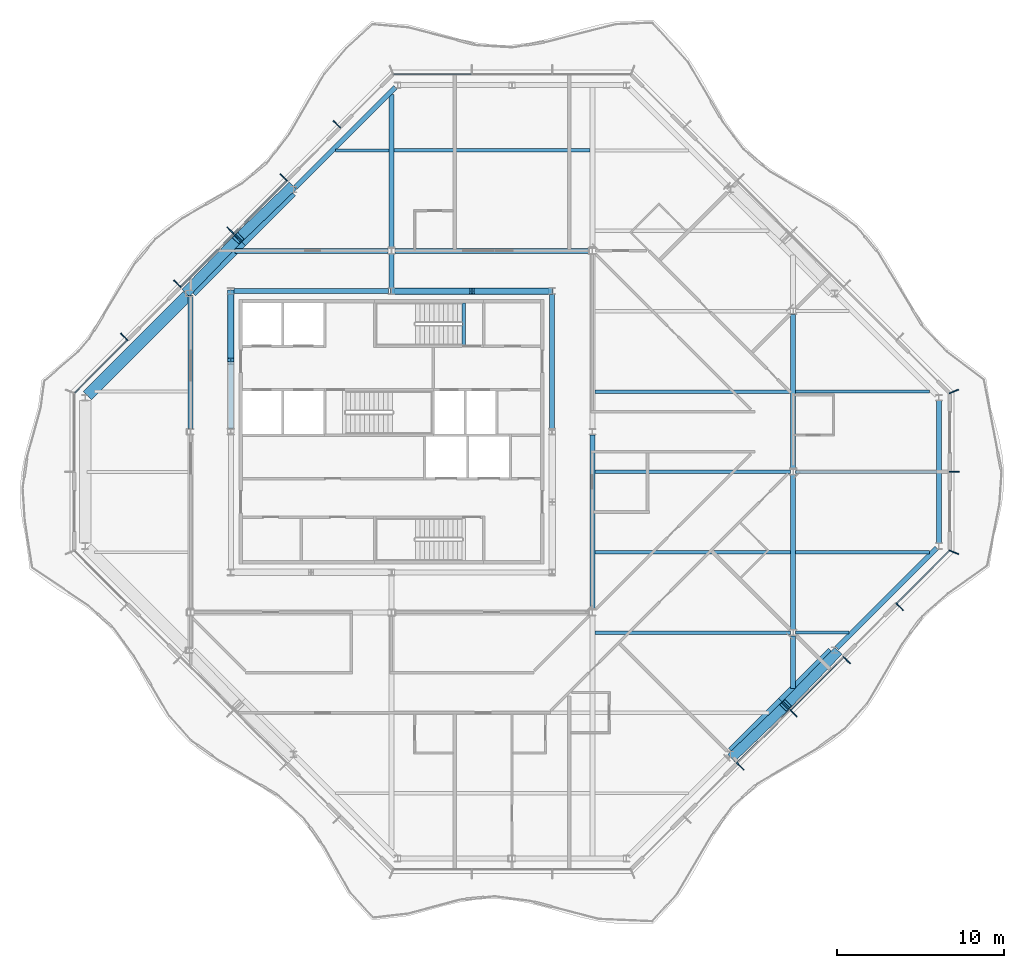
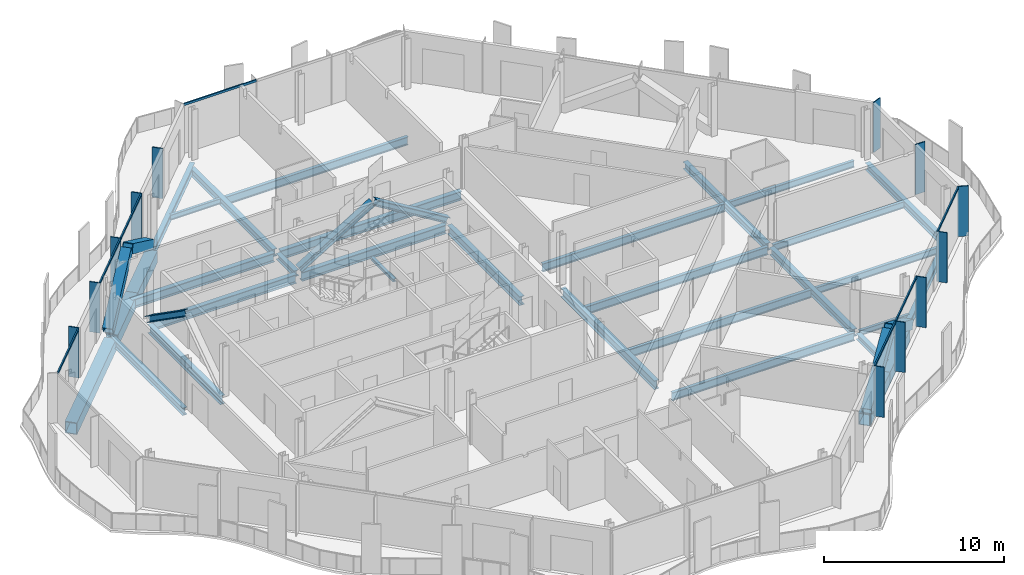
# One storey, part 4 of 17: 32 beams, 26 members, 5 elements without a shape of their own.
"""IFC4 building model written with IfcOpenShell, lengths in metres."""

from ifc_helpers import new_model, si_unit, direction, frame, origin, origin_2d, place, context, subcontext, project, spatial, rectangle, hollow_rectangle, i_section, extrude, material, material_profile, profile_set, type_object, element, aggregate, save


model = new_model("IFC4")

# Units and contexts
model_context = context("Model", 3, precision=1e-05, world=origin(), true_north=direction((0.0, 1.0)))
body_context = subcontext(model_context, "Body", "Model", "MODEL_VIEW")
ifc_project = project(units=[si_unit("LENGTHUNIT", "METRE"), si_unit("AREAUNIT", "SQUARE_METRE"), si_unit("VOLUMEUNIT", "CUBIC_METRE"), si_unit("PLANEANGLEUNIT", "RADIAN"), si_unit("MASSUNIT", "GRAM", prefix="KILO")], contexts=[model_context])

# Site, building, storey
site_placement = place(None, origin())
site = spatial("IfcSite", under=ifc_project, at=site_placement, CompositionType="ELEMENT")
building_placement = place(site_placement, origin())
building = spatial("IfcBuilding", under=site, at=building_placement, Name="Cairn Pilgrim Tower", CompositionType="ELEMENT")
storey_placement = place(building_placement, frame((0.0, 0.0, 292.199951171875)))
storey = spatial("IfcBuildingStorey", under=building, at=storey_placement, Name="L75", CompositionType="ELEMENT", Elevation=292.199951171875)

# Members
ifc_material_1 = material(Name="Structural steel S460M", Category="steel")
ifc_material_profile_1 = material_profile(ifc_material_1, hollow_rectangle(XDim=0.60009765625, YDim=0.60009765625, WallThickness=0.034912109375, at=origin_2d()), Name="BOX 600x600x35")
ifc_profile_set_1 = profile_set([ifc_material_profile_1], Name="Structural steel S460M")
member_type_1 = type_object("IfcMemberType", Name="BOX 600x600x35 BRACE", PredefinedType="BRACE", material=ifc_profile_set_1)
for number, where, z_axis, x_axis, name in (
    (1, (27.602294921875, -16.98779296875, 0.150146484375), (0.617018686186, 0.594728533301, 0.515350281434), (-0.693982111126, 0.719992242623, 0.0), "XB-SE2-SE3-1"),
    (2, (33.78759765625, -10.80224609375, 0.150146484375), (-0.594679218313, -0.61706668377, 0.515349721149), (0.720047967375, -0.69392429319, 0.0), "XB-SE2-SE3-2"),
):
    element("IfcMember", number, at=place(storey_placement, frame(where, z_axis=z_axis, x_axis=x_axis)), inside=storey, type_object=member_type_1, Name=name, PredefinedType="BRACE", context=body_context, shape_type="SweptSolid", body=[
        extrude(hollow_rectangle(XDim=0.60009765625, YDim=0.60009765625, WallThickness=0.034912109375, at=origin_2d()), origin(), (0.0, 0.0, 1.0), 5.016357421875),
    ])
for number, where, z_axis, x_axis, name in (
    (3, (1.19775390625, 16.98779296875, 0.150146484375), (-0.617048824616, -0.594710674092, 0.515334805889), (0.693953735617, -0.720019591971, 0.0), "XB-NW2-NW3-1"),
    (4, (-4.98779296875, 10.80224609375, 0.150146484375), (0.594710674092, 0.617048824616, 0.515334805889), (-0.720019591971, 0.693953735617, 0.0), "XB-NW2-NW3-2"),
):
    element("IfcMember", number, at=place(storey_placement, frame(where, z_axis=z_axis, x_axis=x_axis)), inside=storey, type_object=member_type_1, Name=name, PredefinedType="BRACE", context=body_context, shape_type="SweptSolid", body=[
        extrude(hollow_rectangle(XDim=0.60009765625, YDim=0.60009765625, WallThickness=0.034912109375, at=origin_2d()), origin(), (0.0, 0.0, 1.0), 5.0166015625),
    ])

# Beams
ifc_material_2 = material(Name="Structural steel S355J2", Category="steel")
ifc_material_profile_2 = material_profile(ifc_material_2, hollow_rectangle(XDim=0.699951171875, YDim=0.800048828125, WallThickness=0.0400390625, at=origin_2d()), Name="BOX 700x800x40")
ifc_profile_set_2 = profile_set([ifc_material_profile_2], Name="Structural steel S355J2")
beam_type_1 = type_object("IfcBeamType", Name="BOX 700x800x40 RING GIRDER", PredefinedType="SPANDREL", material=ifc_profile_set_2)
for number, where, z_axis, x_axis, name in (
    (5, (27.575927734375, -16.751220703125, -0.550048828125), (0.707135671578, 0.707077889614, 0.0), (-0.707077889614, 0.707135671578, 0.0), "RG4-SE2-SE3-1"),
    (6, (30.563720703125, -13.763671875, -0.550048828125), (0.707077889614, 0.707135671578, 0.0), (-0.707135671578, 0.707077889614, 0.0), "RG4-SE2-SE3-2"),
    (7, (1.22412109375, 16.751220703125, -0.550048828125), (-0.707135671578, -0.707077889614, 0.0), (0.707077889614, -0.707135671578, 0.0), "RG4-NW2-NW3-1"),
    (8, (-1.763671875, 13.763671875, -0.550048828125), (-0.707077889614, -0.707135671578, 0.0), (0.707135671578, -0.707077889614, 0.0), "RG4-NW2-NW3-2"),
):
    element("IfcBeam", number, at=place(storey_placement, frame(where, z_axis=z_axis, x_axis=x_axis)), inside=storey, type_object=beam_type_1, Name=name, PredefinedType="SPANDREL", context=body_context, shape_type="SweptSolid", body=[
        extrude(hollow_rectangle(XDim=0.699951171875, YDim=0.800048828125, WallThickness=0.0400390625, at=origin_2d()), origin(), (0.0, 0.0, 1.0), 4.22509765625),
    ])
beam_1_placement = place(storey_placement, frame((-5.000244140625, 10.527099609375, -0.550048828125), z_axis=(-0.707092335843, -0.707121226235, 0.0), x_axis=(0.707121226235, -0.707092335843, 0.0)))
element("IfcBeam", 9, at=beam_1_placement, inside=storey, type_object=beam_type_1, Name="RG4-NW3-W1", PredefinedType="SPANDREL", context=body_context, shape_type="SweptSolid", body=[
    extrude(hollow_rectangle(XDim=0.699951171875, YDim=0.800048828125, WallThickness=0.0400390625, at=origin_2d()), origin(), (0.0, 0.0, 1.0), 8.45068359375),
])

# Curtain wall, members
ifc_material_3 = material(Name="Aluminium alloy 6063-T6 bronze anodised with Bronze tinted laminated low-E glass 8+16+8.8", Category="aluminium")
curtain_wall_type = type_object("IfcCurtainWallType", Name="CROWN CURTAIN WALL", PredefinedType="NOTDEFINED", material=ifc_material_3)
curtain_wall_1_placement = place(storey_placement, origin())
curtain_wall_1 = element("IfcCurtainWall", 10, at=curtain_wall_1_placement, inside=storey, type_object=curtain_wall_type, Name="Crown Curtain Wall SE", PredefinedType="NOTDEFINED")
ifc_material_4 = material(Name="Aluminium alloy 6063-T6 bronze anodised", Category="aluminium")
ifc_material_profile_3 = material_profile(ifc_material_4, rectangle(XDim=0.60009765625, YDim=0.06005859375, at=origin_2d()), Name="FIN MULLION 60x600 BRONZE")
ifc_profile_set_3 = profile_set([ifc_material_profile_3], Name="Aluminium alloy 6063-T6 bronze anodised")
member_type_2 = type_object("IfcMemberType", Name="FIN MULLION 60x600 BRONZE", PredefinedType="MULLION", material=ifc_profile_set_3)
member_1_placement = place(storey_placement, frame((28.03857421875, -17.58984375, 0.0), z_axis=(0.0, 0.0, 1.0), x_axis=(0.707106781187, -0.707106781187, 0.0)))
member_1 = element("IfcMember", 11, at=member_1_placement, type_object=member_type_2, Name="Fin mullion SE3", PredefinedType="MULLION", context=body_context, shape_type="SweptSolid", body=[
    extrude(rectangle(XDim=0.60009765625, YDim=0.06005859375, at=origin_2d()), origin(), (0.0, 0.0, 1.0), 3.400146484375),
])
member_2_placement = place(storey_placement, frame((31.214111328125, -14.4140625, 0.0), z_axis=(0.0, 0.0, 1.0), x_axis=(0.707106781187, -0.707106781187, 0.0)))
member_2 = element("IfcMember", 12, at=member_2_placement, type_object=member_type_2, Name="Fin mullion SE4", PredefinedType="MULLION", context=body_context, shape_type="SweptSolid", body=[
    extrude(rectangle(XDim=0.60009765625, YDim=0.06005859375, at=origin_2d()), origin(), (0.0, 0.0, 1.0), 3.400146484375),
])
member_3_placement = place(storey_placement, frame((34.3896484375, -11.238525390625, 0.0), z_axis=(0.0, 0.0, 1.0), x_axis=(0.707106781187, -0.707106781187, 0.0)))
member_3 = element("IfcMember", 13, at=member_3_placement, type_object=member_type_2, Name="Fin mullion SE5", PredefinedType="MULLION", context=body_context, shape_type="SweptSolid", body=[
    extrude(rectangle(XDim=0.60009765625, YDim=0.06005859375, at=origin_2d()), origin(), (0.0, 0.0, 1.0), 3.400146484375),
])
member_4_placement = place(storey_placement, frame((37.5654296875, -8.06298828125, 0.0), z_axis=(0.0, 0.0, 1.0), x_axis=(0.707106781187, -0.707106781187, 0.0)))
member_4 = element("IfcMember", 14, at=member_4_placement, type_object=member_type_2, Name="Fin mullion SE6", PredefinedType="MULLION", context=body_context, shape_type="SweptSolid", body=[
    extrude(rectangle(XDim=0.60009765625, YDim=0.06005859375, at=origin_2d()), origin(), (0.0, 0.0, 1.0), 3.400146484375),
])

curtain_wall_2_placement = place(storey_placement, origin())
curtain_wall_2 = element("IfcCurtainWall", 15, at=curtain_wall_2_placement, inside=storey, type_object=curtain_wall_type, Name="Crown Curtain Wall E", PredefinedType="NOTDEFINED")
member_5_placement = place(storey_placement, frame((40.799560546875, -4.7998046875, 0.0), z_axis=(0.0, 0.0, 1.0), x_axis=(0.923879532511, -0.382683432365, 0.0)))
member_5 = element("IfcMember", 16, at=member_5_placement, type_object=member_type_2, Name="Fin mullion E1", PredefinedType="MULLION", context=body_context, shape_type="SweptSolid", body=[
    extrude(rectangle(XDim=0.60009765625, YDim=0.06005859375, at=origin_2d()), origin(), (0.0, 0.0, 1.0), 3.400146484375),
])
member_6_placement = place(storey_placement, frame((40.820068359375, 0.0, 0.0), z_axis=(0.0, 0.0, 1.0), x_axis=(1.0, 0.0, 0.0)))
member_6 = element("IfcMember", 17, at=member_6_placement, type_object=member_type_2, Name="Fin mullion E2", PredefinedType="MULLION", context=body_context, shape_type="SweptSolid", body=[
    extrude(rectangle(XDim=0.60009765625, YDim=0.06005859375, at=origin_2d()), origin(), (0.0, 0.0, 1.0), 3.400146484375),
])
aggregate(curtain_wall_2, [member_5, member_6])

# Curtain wall, member
curtain_wall_3_placement = place(storey_placement, origin())
curtain_wall_3 = element("IfcCurtainWall", 18, at=curtain_wall_3_placement, inside=storey, type_object=curtain_wall_type, Name="Crown Curtain Wall NE", PredefinedType="NOTDEFINED")
member_7_placement = place(storey_placement, frame((40.799560546875, 4.7998046875, 0.0), z_axis=(0.0, 0.0, 1.0), x_axis=(0.923879532511, 0.382683432365, 0.0)))
member_7 = element("IfcMember", 19, at=member_7_placement, type_object=member_type_2, Name="Fin mullion NE1", PredefinedType="MULLION", context=body_context, shape_type="SweptSolid", body=[
    extrude(rectangle(XDim=0.60009765625, YDim=0.06005859375, at=origin_2d()), origin(), (0.0, 0.0, 1.0), 3.400146484375),
])
aggregate(curtain_wall_3, [member_7])

# Curtain wall, members
curtain_wall_4_placement = place(storey_placement, origin())
curtain_wall_4 = element("IfcCurtainWall", 20, at=curtain_wall_4_placement, inside=storey, type_object=curtain_wall_type, Name="Crown Curtain Wall NW", PredefinedType="NOTDEFINED")
member_8_placement = place(storey_placement, frame((3.93701171875, 20.765380859375, 0.0), z_axis=(0.0, 0.0, 1.0), x_axis=(-0.707106781187, 0.707106781187, 0.0)))
member_8 = element("IfcMember", 21, at=member_8_placement, type_object=member_type_2, Name="Fin mullion NW2", PredefinedType="MULLION", context=body_context, shape_type="SweptSolid", body=[
    extrude(rectangle(XDim=0.60009765625, YDim=0.06005859375, at=origin_2d()), origin(), (0.0, 0.0, 1.0), 3.400146484375),
])
member_9_placement = place(storey_placement, frame((0.761474609375, 17.58984375, 0.0), z_axis=(0.0, 0.0, 1.0), x_axis=(-0.707106781187, 0.707106781187, 0.0)))
member_9 = element("IfcMember", 22, at=member_9_placement, type_object=member_type_2, Name="Fin mullion NW3", PredefinedType="MULLION", context=body_context, shape_type="SweptSolid", body=[
    extrude(rectangle(XDim=0.60009765625, YDim=0.06005859375, at=origin_2d()), origin(), (0.0, 0.0, 1.0), 3.400146484375),
])
member_10_placement = place(storey_placement, frame((-2.4140625, 14.4140625, 0.0), z_axis=(0.0, 0.0, 1.0), x_axis=(-0.707106781187, 0.707106781187, 0.0)))
member_10 = element("IfcMember", 23, at=member_10_placement, type_object=member_type_2, Name="Fin mullion NW4", PredefinedType="MULLION", context=body_context, shape_type="SweptSolid", body=[
    extrude(rectangle(XDim=0.60009765625, YDim=0.06005859375, at=origin_2d()), origin(), (0.0, 0.0, 1.0), 3.400146484375),
])
member_11_placement = place(storey_placement, frame((-5.58984375, 11.238525390625, 0.0), z_axis=(0.0, 0.0, 1.0), x_axis=(-0.707106781187, 0.707106781187, 0.0)))
member_11 = element("IfcMember", 24, at=member_11_placement, type_object=member_type_2, Name="Fin mullion NW5", PredefinedType="MULLION", context=body_context, shape_type="SweptSolid", body=[
    extrude(rectangle(XDim=0.60009765625, YDim=0.06005859375, at=origin_2d()), origin(), (0.0, 0.0, 1.0), 3.400146484375),
])
member_12_placement = place(storey_placement, frame((-8.765380859375, 8.06298828125, 0.0), z_axis=(0.0, 0.0, 1.0), x_axis=(-0.707106781187, 0.707106781187, 0.0)))
member_12 = element("IfcMember", 25, at=member_12_placement, type_object=member_type_2, Name="Fin mullion NW6", PredefinedType="MULLION", context=body_context, shape_type="SweptSolid", body=[
    extrude(rectangle(XDim=0.60009765625, YDim=0.06005859375, at=origin_2d()), origin(), (0.0, 0.0, 1.0), 3.400146484375),
])

# Members
ifc_material_profile_4 = material_profile(ifc_material_2, i_section(OverallWidth=0.39794921875, OverallDepth=0.386962890625, WebThickness=0.02099609375, FlangeThickness=0.033203125, FilletRadius=0.014892578125, at=origin_2d()), Name="HD 400x262")
ifc_profile_set_4 = profile_set([ifc_material_profile_4], Name="Structural steel S355J2")
member_type_3 = type_object("IfcMemberType", Name="HD 400x262 BRACE", PredefinedType="BRACE", material=ifc_profile_set_4)
for number, where, z_axis, x_axis, name in (
    (26, (16.76025390625, 10.800048828125, 0.10009765625), (-0.855470602141, 0.0, 0.517851377205), (0.0, -1.0, 0.0), "KB-3A"),
    (27, (7.23974609375, 10.800048828125, 0.10009765625), (0.855470602141, 0.0, 0.517851377205), (0.0, 1.0, 0.0), "KB-3B"),
):
    element("IfcMember", number, at=place(storey_placement, frame(where, z_axis=z_axis, x_axis=x_axis)), inside=storey, type_object=member_type_3, Name=name, PredefinedType="BRACE", context=body_context, shape_type="SweptSolid", body=[
        extrude(i_section(OverallWidth=0.39794921875, OverallDepth=0.386962890625, WebThickness=0.02099609375, FlangeThickness=0.033203125, FilletRadius=0.014892578125, at=origin_2d()), origin(), (0.0, 0.0, 1.0), 5.503662109375),
    ])
member_13_placement = place(storey_placement, frame((-2.39990234375, 10.76025390625, 0.10009765625), z_axis=(0.0, -0.819452926025, 0.573146492643), x_axis=(1.0, 0.0, 0.0)))
element("IfcMember", 28, at=member_13_placement, inside=storey, type_object=member_type_3, Name="KB-4A", PredefinedType="BRACE", context=body_context, shape_type="SweptSolid", body=[
    extrude(i_section(OverallWidth=0.39794921875, OverallDepth=0.386962890625, WebThickness=0.02099609375, FlangeThickness=0.033203125, FilletRadius=0.014892578125, at=origin_2d()), origin(), (0.0, 0.0, 1.0), 4.980712890625),
])

# Beams
ifc_material_profile_5 = material_profile(ifc_material_2, i_section(OverallWidth=0.300048828125, OverallDepth=0.39990234375, WebThickness=0.013427734375, FlangeThickness=0.02392578125, FilletRadius=0.027099609375, at=origin_2d()), Name="HEB 400")
ifc_profile_set_5 = profile_set([ifc_material_profile_5], Name="Structural steel S355J2")
beam_type_2 = type_object("IfcBeamType", Name="HEB 400 GIRDER", PredefinedType="BEAM", material=ifc_profile_set_5)
beam_2_placement = place(storey_placement, frame((7.199951171875, 10.9990234375, -0.349853515625), z_axis=(0.0, 1.0, 0.0), x_axis=(-1.0, 0.0, 0.0)))
element("IfcBeam", 29, at=beam_2_placement, inside=storey, type_object=beam_type_2, Name="PG3-E2", PredefinedType="BEAM", context=body_context, shape_type="SweptSolid", body=[
    extrude(i_section(OverallWidth=0.300048828125, OverallDepth=0.39990234375, WebThickness=0.013427734375, FlangeThickness=0.02392578125, FilletRadius=0.027099609375, at=origin_2d()), origin(), (0.0, 0.0, 1.0), 2.00390625),
])
beam_3_placement = place(storey_placement, frame((31.199951171875, -12.945068359375, -0.349853515625), z_axis=(0.0, 1.0, 0.0), x_axis=(-1.0, 0.0, 0.0)))
element("IfcBeam", 30, at=beam_3_placement, inside=storey, type_object=beam_type_2, Name="PG5-1", PredefinedType="BEAM", context=body_context, shape_type="SweptSolid", body=[
    extrude(i_section(OverallWidth=0.300048828125, OverallDepth=0.39990234375, WebThickness=0.013427734375, FlangeThickness=0.02392578125, FilletRadius=0.027099609375, at=origin_2d()), origin(), (0.0, 0.0, 1.0), 3.14794921875),
])
ifc_material_profile_6 = material_profile(ifc_material_2, i_section(OverallWidth=0.300048828125, OverallDepth=0.5, WebThickness=0.014404296875, FlangeThickness=0.028076171875, FilletRadius=0.027099609375, at=origin_2d()), Name="HEB 500")
ifc_profile_set_6 = profile_set([ifc_material_profile_6], Name="Structural steel S355J2")
beam_type_3 = type_object("IfcBeamType", Name="HEB 500 GIRDER", PredefinedType="BEAM", material=ifc_profile_set_6)
beam_4_placement = place(storey_placement, frame((-4.800048828125, 2.596923828125, -0.39990234375), z_axis=(0.0, 1.0, 0.0), x_axis=(-1.0, 0.0, 0.0)))
element("IfcBeam", 31, at=beam_4_placement, inside=storey, type_object=beam_type_3, Name="PG2-2", PredefinedType="BEAM", context=body_context, shape_type="SweptSolid", body=[
    extrude(i_section(OverallWidth=0.300048828125, OverallDepth=0.5, WebThickness=0.014404296875, FlangeThickness=0.028076171875, FilletRadius=0.027099609375, at=origin_2d()), origin(), (0.0, 0.0, 1.0), 7.9482421875),
])
beam_5_placement = place(storey_placement, frame((7.199951171875, 13.39697265625, -0.39990234375), z_axis=(0.0, 1.0, 0.0), x_axis=(-1.0, 0.0, 0.0)))
element("IfcBeam", 32, at=beam_5_placement, inside=storey, type_object=beam_type_3, Name="PG3-2", PredefinedType="BEAM", context=body_context, shape_type="SweptSolid", body=[
    extrude(i_section(OverallWidth=0.300048828125, OverallDepth=0.5, WebThickness=0.014404296875, FlangeThickness=0.028076171875, FilletRadius=0.027099609375, at=origin_2d()), origin(), (0.0, 0.0, 1.0), 9.148193359375),
])
for number, where, z_axis, x_axis, name in (
    (33, (31.199951171875, -9.403076171875, -0.39990234375), (0.0, 1.0, 0.0), (-1.0, 0.0, 0.0), "PG5-2"),
    (34, (31.199951171875, 0.197021484375, -0.39990234375), (0.0, 1.0, 0.0), (-1.0, 0.0, 0.0), "PG5-3"),
):
    element("IfcBeam", number, at=place(storey_placement, frame(where, z_axis=z_axis, x_axis=x_axis)), inside=storey, type_object=beam_type_3, Name=name, PredefinedType="BEAM", context=body_context, shape_type="SweptSolid", body=[
        extrude(i_section(OverallWidth=0.300048828125, OverallDepth=0.5, WebThickness=0.014404296875, FlangeThickness=0.028076171875, FilletRadius=0.027099609375, at=origin_2d()), origin(), (0.0, 0.0, 1.0), 9.2060546875),
    ])
ifc_material_profile_7 = material_profile(ifc_material_2, i_section(OverallWidth=0.300048828125, OverallDepth=0.5, WebThickness=0.014404296875, FlangeThickness=0.028076171875, FilletRadius=0.027099609375, at=origin_2d()), Name="HEB 500")
ifc_profile_set_7 = profile_set([ifc_material_profile_7], Name="Structural steel S355J2")
beam_type_4 = type_object("IfcBeamType", Name="HEB 500 RING GIRDER", PredefinedType="SPANDREL", material=ifc_profile_set_7)
beam_6_placement = place(storey_placement, frame((33.80029296875, -10.527099609375, -0.39990234375), z_axis=(0.707092335843, 0.707121226235, 0.0), x_axis=(-0.707121226235, 0.707092335843, 0.0)))
element("IfcBeam", 35, at=beam_6_placement, inside=storey, type_object=beam_type_4, Name="RG4-SE3-E1", PredefinedType="SPANDREL", context=body_context, shape_type="SweptSolid", body=[
    extrude(i_section(OverallWidth=0.300048828125, OverallDepth=0.5, WebThickness=0.014404296875, FlangeThickness=0.028076171875, FilletRadius=0.027099609375, at=origin_2d()), origin(), (0.0, 0.0, 1.0), 8.45068359375),
])
beam_7_placement = place(storey_placement, frame((39.89990234375, -4.251220703125, -0.39990234375), z_axis=(0.0, 1.0, 0.0), x_axis=(-1.0, 0.0, 0.0)))
element("IfcBeam", 36, at=beam_7_placement, inside=storey, type_object=beam_type_4, Name="RG4-E1-NE1", PredefinedType="SPANDREL", context=body_context, shape_type="SweptSolid", body=[
    extrude(i_section(OverallWidth=0.300048828125, OverallDepth=0.5, WebThickness=0.014404296875, FlangeThickness=0.028076171875, FilletRadius=0.027099609375, at=origin_2d()), origin(), (0.0, 0.0, 1.0), 8.50244140625),
])
beam_8_placement = place(storey_placement, frame((7.448486328125, 22.9755859375, -0.39990234375), z_axis=(-0.707121226235, -0.707092335843, 0.0), x_axis=(0.707092335843, -0.707121226235, 0.0)))
element("IfcBeam", 37, at=beam_8_placement, inside=storey, type_object=beam_type_4, Name="RG4-NW1-NW2", PredefinedType="SPANDREL", context=body_context, shape_type="SweptSolid", body=[
    extrude(i_section(OverallWidth=0.300048828125, OverallDepth=0.5, WebThickness=0.014404296875, FlangeThickness=0.028076171875, FilletRadius=0.027099609375, at=origin_2d()), origin(), (0.0, 0.0, 1.0), 8.45068359375),
])
ifc_material_profile_8 = material_profile(ifc_material_2, i_section(OverallWidth=0.300048828125, OverallDepth=0.60009765625, WebThickness=0.015380859375, FlangeThickness=0.030029296875, FilletRadius=0.027099609375, at=origin_2d()), Name="HEB 600")
ifc_profile_set_8 = profile_set([ifc_material_profile_8], Name="Structural steel S355J2")
beam_type_5 = type_object("IfcBeamType", Name="HEB 600 CORE BEAM", PredefinedType="BEAM", material=ifc_profile_set_8)
beam_9_placement = place(storey_placement, frame((16.800048828125, 2.5791015625, -0.449951171875), z_axis=(0.0, 1.0, 0.0), x_axis=(-1.0, 0.0, 0.0)))
element("IfcBeam", 38, at=beam_9_placement, inside=storey, type_object=beam_type_5, Name="CB-4", PredefinedType="BEAM", context=body_context, shape_type="SweptSolid", body=[
    extrude(i_section(OverallWidth=0.300048828125, OverallDepth=0.60009765625, WebThickness=0.015380859375, FlangeThickness=0.030029296875, FilletRadius=0.027099609375, at=origin_2d()), origin(), (0.0, 0.0, 1.0), 8.041748046875),
])
beam_10_placement = place(storey_placement, frame((16.620849609375, 10.800048828125, -0.449951171875), z_axis=(-1.0, 0.0, 0.0), x_axis=(0.0, -1.0, 0.0)))
element("IfcBeam", 39, at=beam_10_placement, inside=storey, type_object=beam_type_5, Name="CB-5", PredefinedType="BEAM", context=body_context, shape_type="SweptSolid", body=[
    extrude(i_section(OverallWidth=0.300048828125, OverallDepth=0.60009765625, WebThickness=0.015380859375, FlangeThickness=0.030029296875, FilletRadius=0.027099609375, at=origin_2d()), origin(), (0.0, 0.0, 1.0), 9.24169921875),
])
beam_11_placement = place(storey_placement, frame((7.02099609375, 10.800048828125, -0.449951171875), z_axis=(-1.0, 0.0, 0.0), x_axis=(0.0, -1.0, 0.0)))
element("IfcBeam", 40, at=beam_11_placement, inside=storey, type_object=beam_type_5, Name="CB-6", PredefinedType="BEAM", context=body_context, shape_type="SweptSolid", body=[
    extrude(i_section(OverallWidth=0.300048828125, OverallDepth=0.60009765625, WebThickness=0.015380859375, FlangeThickness=0.030029296875, FilletRadius=0.027099609375, at=origin_2d()), origin(), (0.0, 0.0, 1.0), 9.241943359375),
])
beam_12_placement = place(storey_placement, frame((-2.39990234375, 10.620849609375, -0.449951171875), z_axis=(0.0, -1.0, 0.0), x_axis=(1.0, 0.0, 0.0)))
element("IfcBeam", 41, at=beam_12_placement, inside=storey, type_object=beam_type_5, Name="CB-7", PredefinedType="BEAM", context=body_context, shape_type="SweptSolid", body=[
    extrude(i_section(OverallWidth=0.300048828125, OverallDepth=0.60009765625, WebThickness=0.015380859375, FlangeThickness=0.030029296875, FilletRadius=0.027099609375, at=origin_2d()), origin(), (0.0, 0.0, 1.0), 8.041748046875),
])
ifc_material_profile_9 = material_profile(ifc_material_2, i_section(OverallWidth=0.300048828125, OverallDepth=0.60009765625, WebThickness=0.015380859375, FlangeThickness=0.030029296875, FilletRadius=0.027099609375, at=origin_2d()), Name="HEB 600")
ifc_profile_set_9 = profile_set([ifc_material_profile_9], Name="Structural steel S355J2")
beam_type_6 = type_object("IfcBeamType", Name="HEB 600 GIRDER", PredefinedType="BEAM", material=ifc_profile_set_9)
beam_13_placement = place(storey_placement, frame((19.199951171875, -8.202880859375, -0.449951171875), z_axis=(0.0, 1.0, 0.0), x_axis=(-1.0, 0.0, 0.0)))
element("IfcBeam", 42, at=beam_13_placement, inside=storey, type_object=beam_type_6, Name="PG4-2", PredefinedType="BEAM", context=body_context, shape_type="SweptSolid", body=[
    extrude(i_section(OverallWidth=0.300048828125, OverallDepth=0.60009765625, WebThickness=0.015380859375, FlangeThickness=0.030029296875, FilletRadius=0.027099609375, at=origin_2d()), origin(), (0.0, 0.0, 1.0), 10.40576171875),
])
ifc_material_profile_10 = material_profile(ifc_material_2, i_section(OverallWidth=0.300048828125, OverallDepth=0.60009765625, WebThickness=0.015380859375, FlangeThickness=0.030029296875, FilletRadius=0.027099609375, at=origin_2d()), Name="HEB 600")
ifc_profile_set_10 = profile_set([ifc_material_profile_10], Name="Structural steel S355J2")
beam_type_7 = type_object("IfcBeamType", Name="HEB 600 INNER GIRDER", PredefinedType="BEAM", material=ifc_profile_set_10)
beam_14_placement = place(storey_placement, frame((-2.14501953125, 13.199951171875, -0.449951171875), z_axis=(1.0, 0.0, 0.0), x_axis=(0.0, 1.0, 0.0)))
element("IfcBeam", 43, at=beam_14_placement, inside=storey, type_object=beam_type_7, Name="IG2-1", PredefinedType="BEAM", context=body_context, shape_type="SweptSolid", body=[
    extrude(i_section(OverallWidth=0.300048828125, OverallDepth=0.60009765625, WebThickness=0.015380859375, FlangeThickness=0.030029296875, FilletRadius=0.027099609375, at=origin_2d()), origin(), (0.0, 0.0, 1.0), 9.14794921875),
])
beam_15_placement = place(storey_placement, frame((7.39697265625, 13.199951171875, -0.449951171875), z_axis=(1.0, 0.0, 0.0), x_axis=(0.0, 1.0, 0.0)))
element("IfcBeam", 44, at=beam_15_placement, inside=storey, type_object=beam_type_7, Name="IG2-2", PredefinedType="BEAM", context=body_context, shape_type="SweptSolid", body=[
    extrude(i_section(OverallWidth=0.300048828125, OverallDepth=0.60009765625, WebThickness=0.015380859375, FlangeThickness=0.030029296875, FilletRadius=0.027099609375, at=origin_2d()), origin(), (0.0, 0.0, 1.0), 11.60595703125),
])
ifc_material_profile_11 = material_profile(ifc_material_2, i_section(OverallWidth=0.169921875, OverallDepth=0.360107421875, WebThickness=0.008056640625, FlangeThickness=0.0126953125, FilletRadius=0.01806640625, at=origin_2d()), Name="IPE 360")
ifc_profile_set_11 = profile_set([ifc_material_profile_11], Name="Structural steel S355J2")
beam_type_8 = type_object("IfcBeamType", Name="IPE 360 SECONDARY BEAM", PredefinedType="JOIST", material=ifc_profile_set_11)
for number, where, z_axis, x_axis, name in (
    (45, (31.35009765625, -9.60009765625, -0.329833984375), (1.0, 0.0, 0.0), (0.0, 1.0, 0.0), "SB3-2"),
    (46, (3.85498046875, 19.199951171875, -0.329833984375), (1.0, 0.0, 0.0), (0.0, 1.0, 0.0), "SB9-1"),
):
    element("IfcBeam", number, at=place(storey_placement, frame(where, z_axis=z_axis, x_axis=x_axis)), inside=storey, type_object=beam_type_8, Name=name, PredefinedType="JOIST", context=body_context, shape_type="SweptSolid", body=[
        extrude(i_section(OverallWidth=0.169921875, OverallDepth=0.360107421875, WebThickness=0.008056640625, FlangeThickness=0.0126953125, FilletRadius=0.01806640625, at=origin_2d()), origin(), (0.0, 0.0, 1.0), 3.195068359375),
    ])
ifc_material_profile_12 = material_profile(ifc_material_2, i_section(OverallWidth=0.18994140625, OverallDepth=0.449951171875, WebThickness=0.009521484375, FlangeThickness=0.0146484375, FilletRadius=0.02099609375, at=origin_2d()), Name="IPE 450")
ifc_profile_set_12 = profile_set([ifc_material_profile_12], Name="Structural steel S355J2")
beam_type_9 = type_object("IfcBeamType", Name="IPE 450 SECONDARY BEAM", PredefinedType="JOIST", material=ifc_profile_set_12)
beam_16_placement = place(storey_placement, frame((31.35009765625, -4.800048828125, -0.375), z_axis=(1.0, 0.0, 0.0), x_axis=(0.0, 1.0, 0.0)))
element("IfcBeam", 47, at=beam_16_placement, inside=storey, type_object=beam_type_9, Name="SB4-3", PredefinedType="JOIST", context=body_context, shape_type="SweptSolid", body=[
    extrude(i_section(OverallWidth=0.18994140625, OverallDepth=0.449951171875, WebThickness=0.009521484375, FlangeThickness=0.0146484375, FilletRadius=0.02099609375, at=origin_2d()), origin(), (0.0, 0.0, 1.0), 7.9951171875),
])
beam_17_placement = place(storey_placement, frame((31.35009765625, 0.0, -0.375), z_axis=(1.0, 0.0, 0.0), x_axis=(0.0, 1.0, 0.0)))
element("IfcBeam", 48, at=beam_17_placement, inside=storey, type_object=beam_type_9, Name="SB5-3", PredefinedType="JOIST", context=body_context, shape_type="SweptSolid", body=[
    extrude(i_section(OverallWidth=0.18994140625, OverallDepth=0.449951171875, WebThickness=0.009521484375, FlangeThickness=0.0146484375, FilletRadius=0.02099609375, at=origin_2d()), origin(), (0.0, 0.0, 1.0), 8.429931640625),
])
beam_18_placement = place(storey_placement, frame((31.35009765625, 4.800048828125, -0.375), z_axis=(1.0, 0.0, 0.0), x_axis=(0.0, 1.0, 0.0)))
element("IfcBeam", 49, at=beam_18_placement, inside=storey, type_object=beam_type_9, Name="SB6-3", PredefinedType="JOIST", context=body_context, shape_type="SweptSolid", body=[
    extrude(i_section(OverallWidth=0.18994140625, OverallDepth=0.449951171875, WebThickness=0.009521484375, FlangeThickness=0.0146484375, FilletRadius=0.02099609375, at=origin_2d()), origin(), (0.0, 0.0, 1.0), 7.9951171875),
])
ifc_material_profile_13 = material_profile(ifc_material_2, i_section(OverallWidth=0.2099609375, OverallDepth=0.550048828125, WebThickness=0.010986328125, FlangeThickness=0.01708984375, FilletRadius=0.02392578125, at=origin_2d()), Name="IPE 550")
ifc_profile_set_13 = profile_set([ifc_material_profile_13], Name="Structural steel S355J2")
beam_type_10 = type_object("IfcBeamType", Name="IPE 550 SECONDARY BEAM", PredefinedType="JOIST", material=ifc_profile_set_13)
for number, where, z_axis, x_axis, name in (
    (50, (19.35009765625, -9.60009765625, -0.425048828125), (1.0, 0.0, 0.0), (0.0, 1.0, 0.0), "SB3-1"),
    (51, (19.35009765625, -4.800048828125, -0.425048828125), (1.0, 0.0, 0.0), (0.0, 1.0, 0.0), "SB4-2"),
    (52, (19.35009765625, 0.0, -0.425048828125), (1.0, 0.0, 0.0), (0.0, 1.0, 0.0), "SB5-2"),
    (53, (19.35009765625, 4.800048828125, -0.425048828125), (1.0, 0.0, 0.0), (0.0, 1.0, 0.0), "SB6-2"),
    (54, (7.35009765625, 19.199951171875, -0.425048828125), (1.0, 0.0, 0.0), (0.0, 1.0, 0.0), "SB9-2"),
):
    element("IfcBeam", number, at=place(storey_placement, frame(where, z_axis=z_axis, x_axis=x_axis)), inside=storey, type_object=beam_type_10, Name=name, PredefinedType="JOIST", context=body_context, shape_type="SweptSolid", body=[
        extrude(i_section(OverallWidth=0.2099609375, OverallDepth=0.550048828125, WebThickness=0.010986328125, FlangeThickness=0.01708984375, FilletRadius=0.02392578125, at=origin_2d()), origin(), (0.0, 0.0, 1.0), 11.699951171875),
    ])
ifc_material_profile_14 = material_profile(ifc_material_2, i_section(OverallWidth=0.199951171875, OverallDepth=0.199951171875, WebThickness=0.009033203125, FlangeThickness=0.014892578125, FilletRadius=0.01806640625, at=origin_2d()), Name="HE 200 B")
ifc_profile_set_14 = profile_set([ifc_material_profile_14], Name="Structural steel S355J2")
beam_type_11 = type_object("IfcBeamType", Name="STAIR LANDING BEAM HE 200 B", PredefinedType="BEAM", material=ifc_profile_set_14)
beam_19_placement = place(storey_placement, frame((11.5244140625, 10.10009765625, -0.25), z_axis=(0.0, -1.0, 0.0), x_axis=(1.0, 0.0, 0.0)))
element("IfcBeam", 55, at=beam_19_placement, inside=storey, type_object=beam_type_11, Name="STAIR LANDING BEAM LD-HE200B", PredefinedType="BEAM", context=body_context, shape_type="SweptSolid", body=[
    extrude(i_section(OverallWidth=0.199951171875, OverallDepth=0.199951171875, WebThickness=0.009033203125, FlangeThickness=0.014892578125, FilletRadius=0.01806640625, at=origin_2d()), origin(), (0.0, 0.0, 1.0), 2.525146484375),
])

# Member
ifc_material_profile_15 = material_profile(ifc_material_4, rectangle(XDim=0.080078125, YDim=0.14990234375, at=origin_2d()), Name="TRANSOM 80x150 BRONZE")
ifc_profile_set_15 = profile_set([ifc_material_profile_15], Name="Aluminium alloy 6063-T6 bronze anodised")
member_type_4 = type_object("IfcMemberType", Name="TRANSOM 80x150 BRONZE", PredefinedType="USERDEFINED", material=ifc_profile_set_15)
member_14_placement = place(storey_placement, frame((27.868896484375, -17.377685546875, 3.324951171875), z_axis=(0.707079231393, 0.707134329907, 0.0), x_axis=(-0.707134329907, 0.707079231393, 0.0)))
member_14 = element("IfcMember", 56, at=member_14_placement, type_object=member_type_4, Name="Transom SE3", ObjectType="TRANSOM", PredefinedType="USERDEFINED", context=body_context, shape_type="SweptSolid", body=[
    extrude(rectangle(XDim=0.080078125, YDim=0.14990234375, at=origin_2d()), origin(), (0.0, 0.0, 1.0), 4.430908203125),
])

member_15_placement = place(storey_placement, frame((31.04443359375, -14.201904296875, 3.324951171875), z_axis=(0.707106781187, 0.707106781187, 0.0), x_axis=(-0.707106781187, 0.707106781187, 0.0)))
member_15 = element("IfcMember", 57, at=member_15_placement, type_object=member_type_4, Name="Transom SE4", ObjectType="TRANSOM", PredefinedType="USERDEFINED", context=body_context, shape_type="SweptSolid", body=[
    extrude(rectangle(XDim=0.080078125, YDim=0.14990234375, at=origin_2d()), origin(), (0.0, 0.0, 1.0), 4.430908203125),
])

member_16_placement = place(storey_placement, frame((37.3955078125, -7.850830078125, 3.324951171875), z_axis=(0.707106781187, 0.707106781187, 0.0), x_axis=(-0.707106781187, 0.707106781187, 0.0)))
member_16 = element("IfcMember", 58, at=member_16_placement, type_object=member_type_4, Name="Transom SE6", ObjectType="TRANSOM", PredefinedType="USERDEFINED", context=body_context, shape_type="SweptSolid", body=[
    extrude(rectangle(XDim=0.080078125, YDim=0.14990234375, at=origin_2d()), origin(), (0.0, 0.0, 1.0), 4.421142578125),
])

aggregate(curtain_wall_1, [member_1, member_2, member_3, member_4, member_14, member_15, member_16])

# Curtain wall, member
curtain_wall_5_placement = place(storey_placement, origin())
curtain_wall_5 = element("IfcCurtainWall", 59, at=curtain_wall_5_placement, inside=storey, type_object=curtain_wall_type, Name="Crown Curtain Wall N", PredefinedType="NOTDEFINED")
member_17_placement = place(storey_placement, frame((11.969970703125, 23.75, 3.324951171875), z_axis=(-1.0, 0.0, 0.0), x_axis=(0.0, -1.0, 0.0)))
member_17 = element("IfcMember", 60, at=member_17_placement, type_object=member_type_4, Name="Transom N3", ObjectType="TRANSOM", PredefinedType="USERDEFINED", context=body_context, shape_type="SweptSolid", body=[
    extrude(rectangle(XDim=0.080078125, YDim=0.14990234375, at=origin_2d()), origin(), (0.0, 0.0, 1.0), 4.62646484375),
])
aggregate(curtain_wall_5, [member_17])

# Member
member_18_placement = place(storey_placement, frame((0.93115234375, 17.377685546875, 3.324951171875), z_axis=(-0.707079231393, -0.707134329907, 0.0), x_axis=(0.707134329907, -0.707079231393, 0.0)))
member_18 = element("IfcMember", 61, at=member_18_placement, type_object=member_type_4, Name="Transom NW3", ObjectType="TRANSOM", PredefinedType="USERDEFINED", context=body_context, shape_type="SweptSolid", body=[
    extrude(rectangle(XDim=0.080078125, YDim=0.14990234375, at=origin_2d()), origin(), (0.0, 0.0, 1.0), 4.430908203125),
])

member_19_placement = place(storey_placement, frame((-2.244384765625, 14.201904296875, 3.324951171875), z_axis=(-0.707134329907, -0.707079231393, 0.0), x_axis=(0.707079231393, -0.707134329907, 0.0)))
member_19 = element("IfcMember", 62, at=member_19_placement, type_object=member_type_4, Name="Transom NW4", ObjectType="TRANSOM", PredefinedType="USERDEFINED", context=body_context, shape_type="SweptSolid", body=[
    extrude(rectangle(XDim=0.080078125, YDim=0.14990234375, at=origin_2d()), origin(), (0.0, 0.0, 1.0), 4.430908203125),
])

member_20_placement = place(storey_placement, frame((-8.595703125, 7.850830078125, 3.324951171875), z_axis=(-0.707079168996, -0.707134392299, 0.0), x_axis=(0.707134392299, -0.707079168996, 0.0)))
member_20 = element("IfcMember", 63, at=member_20_placement, type_object=member_type_4, Name="Transom NW6", ObjectType="TRANSOM", PredefinedType="USERDEFINED", context=body_context, shape_type="SweptSolid", body=[
    extrude(rectangle(XDim=0.080078125, YDim=0.14990234375, at=origin_2d()), origin(), (0.0, 0.0, 1.0), 4.4208984375),
])

aggregate(curtain_wall_4, [member_8, member_9, member_10, member_11, member_12, member_18, member_19, member_20])

save(model, "model.ifc")
